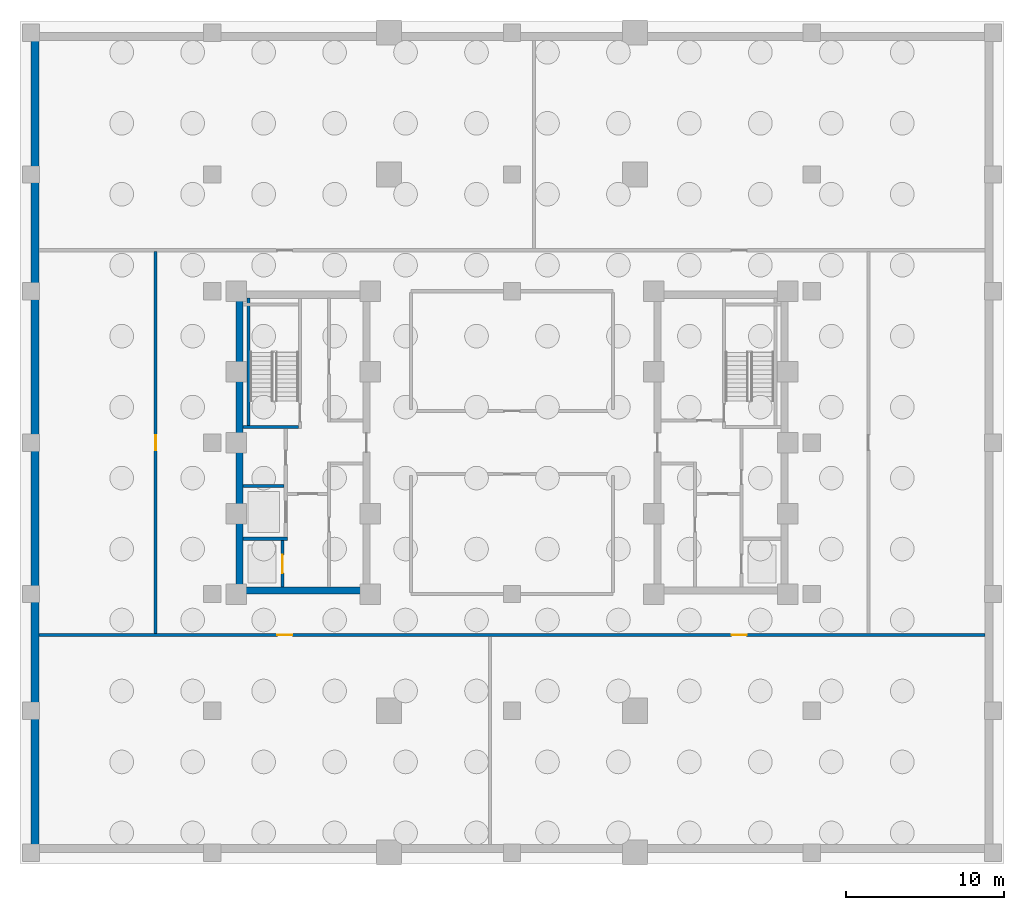
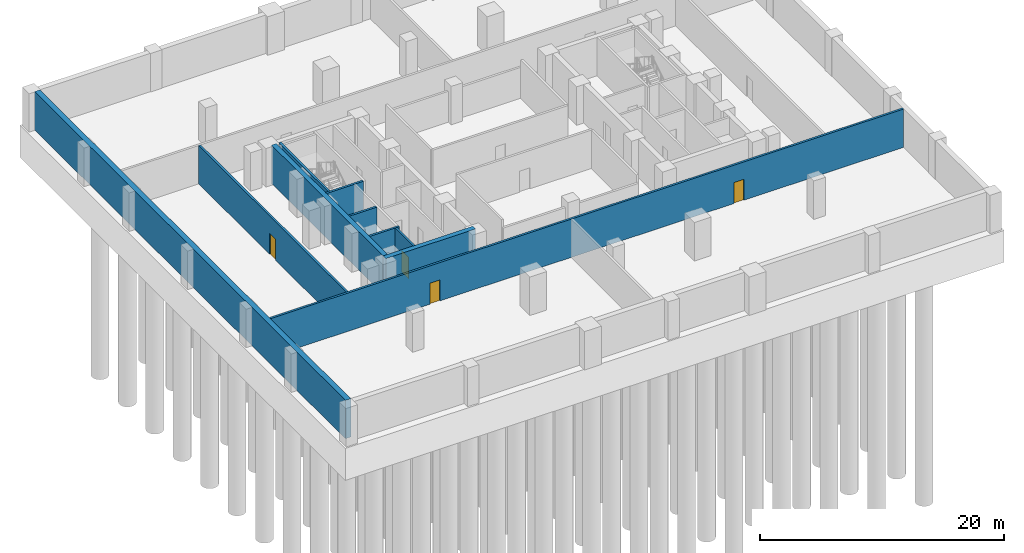
# One storey, part 2 of 6: 10 walls, 4 doors, 4 openings.
"""IFC4 building model written with IfcOpenShell, lengths in metres."""

from ifc_helpers import new_model, si_unit, direction, frame, frame_2d, origin, place, context, subcontext, project, spatial, rectangle, extrude, source, transform, mapped, material, layer, layer_set, type_object, type_shapes, element, fill, save


model = new_model("IFC4")

# Units and contexts
model_context = context("Model", 3, precision=1e-05, world=origin(), true_north=direction((0.0, 1.0)))
body_context = subcontext(model_context, "Body", "Model", "MODEL_VIEW")
ifc_project = project(units=[si_unit("LENGTHUNIT", "METRE"), si_unit("AREAUNIT", "SQUARE_METRE"), si_unit("VOLUMEUNIT", "CUBIC_METRE"), si_unit("PLANEANGLEUNIT", "RADIAN"), si_unit("MASSUNIT", "GRAM", prefix="KILO")], contexts=[model_context])

# Site, building, storey
site_placement = place(None, origin())
site = spatial("IfcSite", under=ifc_project, at=site_placement, CompositionType="ELEMENT")
building_placement = place(site_placement, origin())
building = spatial("IfcBuilding", under=site, at=building_placement, Name="Nuvemarco Arch Tower", CompositionType="ELEMENT")
storey_placement = place(building_placement, frame((0.0, 0.0, -8.39990234375)))
storey = spatial("IfcBuildingStorey", under=building, at=storey_placement, Name="B02", CompositionType="ELEMENT", Elevation=-8.39990234375)

# Walls
ifc_material_1 = material(Name="Concrete C60/75", Category="concrete")
ifc_layer_1 = layer(ifc_material_1, 0.449951171875, Name="WL-CORE-450")
ifc_layer_set_1 = layer_set([ifc_layer_1], Name="Concrete C60/75")
wall_type_1 = type_object("IfcWallType", Name="WL-CORE-450", PredefinedType="SHEAR", material=ifc_layer_set_1)
wall_1_placement = place(storey_placement, frame((-17.5, -9.375, 0.0), z_axis=(0.0, 0.0, 1.0), x_axis=(1.0, 0.0, 0.0)))
element("IfcWall", 1, at=wall_1_placement, inside=storey, type_object=wall_type_1, Name="B02 W-core shear wall S", PredefinedType="SHEAR", context=body_context, shape_type="SweptSolid", body=[
    extrude(rectangle(XDim=8.5, YDim=0.449951171875, at=frame_2d((4.25, 0.0))), origin(), (0.0, 0.0, 1.0), 3.849853515625),
])
wall_2_placement = place(storey_placement, frame((-17.27490234375, -9.155029296875, 0.0), z_axis=(0.0, 0.0, 1.0), x_axis=(0.0, 1.0, 0.0)))
element("IfcWall", 2, at=wall_2_placement, inside=storey, type_object=wall_type_1, Name="B02 W-core shear wall W", PredefinedType="SHEAR", context=body_context, shape_type="SweptSolid", body=[
    extrude(rectangle(XDim=18.31005859375, YDim=0.449951171875, at=frame_2d((9.155029296875, 0.0))), origin(), (0.0, 0.0, 1.0), 3.849853515625),
])

# Wall, openings, doors
ifc_material_2 = material(Name="Precast concrete C45/55", Category="concrete")
ifc_layer_2 = layer(ifc_material_2, 0.199951171875, Name="WL-PLANT-200")
ifc_layer_set_2 = layer_set([ifc_layer_2], Name="Precast concrete C45/55")
wall_type_2 = type_object("IfcWallType", Name="WL-PLANT-200", PredefinedType="STANDARD", material=ifc_layer_set_2)
wall_3_placement = place(storey_placement, frame((-30.0, -12.199951171875, 0.0), z_axis=(0.0, 0.0, 1.0), x_axis=(1.0, 0.0, 0.0)))
wall_3 = element("IfcWall", 3, at=wall_3_placement, inside=storey, type_object=wall_type_2, Name="B02 interior wall IW-B02-001", PredefinedType="STANDARD", context=body_context, shape_type="SweptSolid", body=[
    extrude(rectangle(XDim=60.0, YDim=0.199951171875, at=frame_2d((30.0, 0.0))), origin(), (0.0, 0.0, 1.0), 3.83984375),
])
opening_1_placement = place(wall_3_placement, frame((15.1201171875, 0.0, 0.0)))
opening_1 = element("IfcOpeningElement", 4, at=opening_1_placement, cuts=wall_3, Name="Opening FD-5", PredefinedType="OPENING", context=body_context, shape_type="SweptSolid", body=[
    extrude(rectangle(XDim=0.9599609375, YDim=2.10009765625, at=frame_2d((0.47998046875, 1.050048828125))), frame((0.0, 0.10986328125, 0.0), z_axis=(0.0, -1.0, 0.0), x_axis=(1.0, 0.0, 0.0)), (0.0, 0.0, 1.0), 0.219970703125),
])
opening_2_placement = place(wall_3_placement, frame((43.919921875, 0.0, 0.0)))
opening_2 = element("IfcOpeningElement", 5, at=opening_2_placement, cuts=wall_3, Name="Opening FD-5", PredefinedType="OPENING", context=body_context, shape_type="SweptSolid", body=[
    extrude(rectangle(XDim=0.9599609375, YDim=2.10009765625, at=frame_2d((0.47998046875, 1.050048828125))), frame((0.0, 0.10986328125, 0.0), z_axis=(0.0, -1.0, 0.0), x_axis=(1.0, 0.0, 0.0)), (0.0, 0.0, 1.0), 0.219970703125),
])
ifc_material_3 = material(Name="Timber fire door", Category="wood")
door_type_1 = type_object("IfcDoorType", Name="DR-CORR-FD", OperationType="NOTDEFINED", PredefinedType="DOOR", material=ifc_material_3)
shared_shape_1 = source(origin(), body_context, "Body", "SweptSolid", [
    extrude(rectangle(XDim=0.9599609375, YDim=2.10009765625, at=frame_2d((0.47998046875, 1.050048828125))), frame((0.0, 0.02490234375, 0.0), z_axis=(0.0, -1.0, 0.0), x_axis=(1.0, 0.0, 0.0)), (0.0, 0.0, 1.0), 0.050048828125),
])
type_shapes(door_type_1, [shared_shape_1])
door_1_placement = place(opening_1_placement, origin())
door_1 = element("IfcDoor", 6, at=door_1_placement, inside=storey, type_object=door_type_1, Name="B02 door DR-B02-B02_CIST", OperationType="SINGLE_SWING_RIGHT", OverallHeight=2.10009765625, OverallWidth=0.9599609375, PredefinedType="DOOR", context=body_context, shape_type="MappedRepresentation", body=[
    mapped(shared_shape_1, transform((0.0, 0.0, 0.0), scale=1.0)),
])
fill(opening_1, door_1)
door_2_placement = place(opening_2_placement, origin())
door_2 = element("IfcDoor", 7, at=door_2_placement, inside=storey, type_object=door_type_1, Name="B02 door DR-B02-B02_CHIL", OperationType="SINGLE_SWING_LEFT", OverallHeight=2.10009765625, OverallWidth=0.9599609375, PredefinedType="DOOR", context=body_context, shape_type="MappedRepresentation", body=[
    mapped(shared_shape_1, transform((0.0, 0.0, 0.0), scale=1.0)),
])
fill(opening_2, door_2)

# Wall, opening, door
wall_4_placement = place(storey_placement, frame((-22.60009765625, -12.10400390625, 0.0), z_axis=(0.0, 0.0, 1.0), x_axis=(0.0, 1.0, 0.0)))
wall_4 = element("IfcWall", 8, at=wall_4_placement, inside=storey, type_object=wall_type_2, Name="B02 interior wall IW-B02-009", PredefinedType="STANDARD", context=body_context, shape_type="SweptSolid", body=[
    extrude(rectangle(XDim=24.2080078125, YDim=0.199951171875, at=frame_2d((12.10400390625, 0.0))), origin(), (0.0, 0.0, 1.0), 3.83984375),
])
opening_3_placement = place(wall_4_placement, frame((11.6240234375, 0.0, 0.0)))
opening_3 = element("IfcOpeningElement", 9, at=opening_3_placement, cuts=wall_4, Name="Opening FD-5", PredefinedType="OPENING", context=body_context, shape_type="SweptSolid", body=[
    extrude(rectangle(XDim=0.9599609375, YDim=2.10009765625, at=frame_2d((0.47998046875, 1.050048828125))), frame((0.0, 0.10986328125, 0.0), z_axis=(0.0, -1.0, 0.0), x_axis=(1.0, 0.0, 0.0)), (0.0, 0.0, 1.0), 0.219970703125),
])
door_3_placement = place(opening_3_placement, origin())
door_3 = element("IfcDoor", 10, at=door_3_placement, inside=storey, type_object=door_type_1, Name="B02 door DR-B02-B02_WTNK", OperationType="SINGLE_SWING_RIGHT", OverallHeight=2.10009765625, OverallWidth=0.9599609375, PredefinedType="DOOR", context=body_context, shape_type="MappedRepresentation", body=[
    mapped(shared_shape_1, transform((0.0, 0.0, 0.0), scale=1.0)),
])
fill(opening_3, door_3)

# Walls
ifc_material_4 = material(Name="Concrete C50/60", Category="concrete")
ifc_layer_3 = layer(ifc_material_4, 0.5, Name="WL-RET-500")
ifc_layer_set_3 = layer_set([ifc_layer_3], Name="Concrete C50/60")
wall_type_3 = type_object("IfcWallType", Name="WL-RET-500", PredefinedType="SOLIDWALL", material=ifc_layer_set_3)
wall_5_placement = place(storey_placement, frame((-30.25, -25.5048828125, 0.0), z_axis=(0.0, 0.0, 1.0), x_axis=(0.0, 1.0, 0.0)))
element("IfcWall", 11, at=wall_5_placement, inside=storey, type_object=wall_type_3, Name="B02 perimeter retaining wall W", PredefinedType="SOLIDWALL", context=body_context, shape_type="SweptSolid", body=[
    extrude(rectangle(XDim=51.009765625, YDim=0.5, at=frame_2d((25.5048828125, 0.0))), origin(), (0.0, 0.0, 1.0), 3.849853515625),
])
ifc_layer_4 = layer(ifc_material_4, 0.199951171875, Name="WL-SHAFT-220")
ifc_layer_set_4 = layer_set([ifc_layer_4], Name="Concrete C50/60")
wall_type_4 = type_object("IfcWallType", Name="WL-SHAFT-220", PredefinedType="SHEAR", material=ifc_layer_set_4)
wall_6_placement = place(storey_placement, frame((-17.054931640625, 1.0, 0.0), z_axis=(0.0, 0.0, 1.0), x_axis=(1.0, 0.0, 0.0)))
element("IfcWall", 12, at=wall_6_placement, inside=storey, type_object=wall_type_4, Name="B02 structural shaft wall SW-B02-W-ST1S", PredefinedType="SHEAR", context=body_context, shape_type="SweptSolid", body=[
    extrude(rectangle(XDim=3.52001953125, YDim=0.199951171875, at=frame_2d((1.760009765625, 0.0))), origin(), (0.0, 0.0, 1.0), 3.849853515625),
])
wall_7_placement = place(storey_placement, frame((-16.699951171875, 1.094970703125, 0.0), z_axis=(0.0, 0.0, 1.0), x_axis=(0.0, 1.0, 0.0)))
element("IfcWall", 13, at=wall_7_placement, inside=storey, type_object=wall_type_4, Name="B02 structural shaft wall SW-B02-W-ST1W", PredefinedType="SHEAR", context=body_context, shape_type="SweptSolid", body=[
    extrude(rectangle(XDim=8.06005859375, YDim=0.199951171875, at=frame_2d((4.030029296875, 0.0))), origin(), (0.0, 0.0, 1.0), 3.849853515625),
])

# Wall, opening, door
wall_8_placement = place(storey_placement, frame((-14.550048828125, -9.155029296875, 0.0), z_axis=(0.0, 0.0, 1.0), x_axis=(0.0, 1.0, 0.0)))
wall_8 = element("IfcWall", 14, at=wall_8_placement, inside=storey, type_object=wall_type_4, Name="B02 structural shaft wall SW-B02-W-SHE", PredefinedType="SHEAR", context=body_context, shape_type="SweptSolid", body=[
    extrude(rectangle(XDim=2.9599609375, YDim=0.199951171875, at=frame_2d((1.47998046875, 0.0))), origin(), (0.0, 0.0, 1.0), 3.849853515625),
])
opening_4_placement = place(wall_8_placement, frame((0.8798828125, 0.0, 0.0)))
opening_4 = element("IfcOpeningElement", 15, at=opening_4_placement, cuts=wall_8, Name="Opening LD-2", PredefinedType="OPENING", context=body_context, shape_type="SweptSolid", body=[
    extrude(rectangle(XDim=1.14990234375, YDim=2.14990234375, at=frame_2d((0.574951171875, 1.074951171875))), frame((0.0, 0.10986328125, 0.0), z_axis=(0.0, -1.0, 0.0), x_axis=(1.0, 0.0, 0.0)), (0.0, 0.0, 1.0), 0.219970703125),
])
ifc_material_5 = material(Name="Stainless steel lift door", Category="steel")
door_type_2 = type_object("IfcDoorType", Name="DR-LIFT-FIRE", OperationType="DOUBLE_DOOR_SLIDING", PredefinedType="DOOR", material=ifc_material_5)
shared_shape_2 = source(origin(), body_context, "Body", "SweptSolid", [
    extrude(rectangle(XDim=1.14990234375, YDim=2.14990234375, at=frame_2d((0.574951171875, 1.074951171875))), frame((0.0, 0.02490234375, 0.0), z_axis=(0.0, -1.0, 0.0), x_axis=(1.0, 0.0, 0.0)), (0.0, 0.0, 1.0), 0.050048828125),
])
type_shapes(door_type_2, [shared_shape_2])
door_4_placement = place(opening_4_placement, origin())
door_4 = element("IfcDoor", 16, at=door_4_placement, inside=storey, type_object=door_type_2, Name="B02 Lift landing sliding door FFL-1", OperationType="DOUBLE_DOOR_SLIDING", OverallHeight=2.14990234375, OverallWidth=1.14990234375, PredefinedType="DOOR", context=body_context, shape_type="MappedRepresentation", body=[
    mapped(shared_shape_2, transform((0.0, 0.0, 0.0), scale=1.0)),
])
fill(opening_4, door_4)

# Walls
wall_9_placement = place(storey_placement, frame((-17.054931640625, -6.10009765625, 0.0), z_axis=(0.0, 0.0, 1.0), x_axis=(1.0, 0.0, 0.0)))
element("IfcWall", 17, at=wall_9_placement, inside=storey, type_object=wall_type_4, Name="B02 structural shaft wall SW-B02-W-SH1", PredefinedType="SHEAR", context=body_context, shape_type="SweptSolid", body=[
    extrude(rectangle(XDim=2.804931640625, YDim=0.199951171875, at=frame_2d((1.40234375, 0.0))), origin(), (0.0, 0.0, 1.0), 3.849853515625),
])
wall_10_placement = place(storey_placement, frame((-17.054931640625, -2.75, 0.0), z_axis=(0.0, 0.0, 1.0), x_axis=(1.0, 0.0, 0.0)))
element("IfcWall", 18, at=wall_10_placement, inside=storey, type_object=wall_type_4, Name="B02 structural shaft wall SW-B02-W-SH2", PredefinedType="SHEAR", context=body_context, shape_type="SweptSolid", body=[
    extrude(rectangle(XDim=2.60986328125, YDim=0.199951171875, at=frame_2d((1.304931640625, 0.0))), origin(), (0.0, 0.0, 1.0), 3.849853515625),
])

save(model, "model.ifc")
